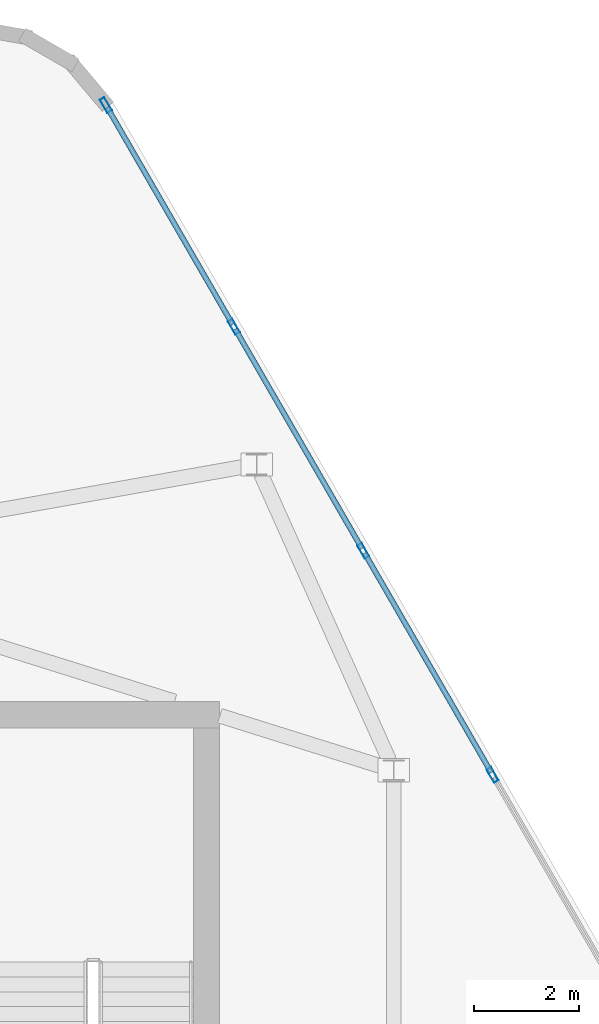
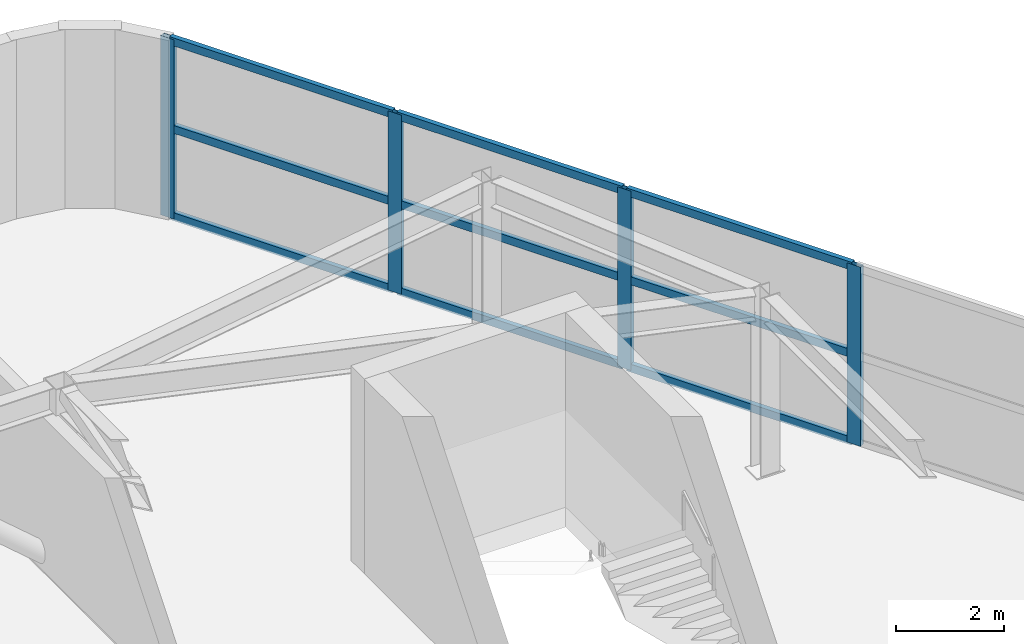
# One storey, part 12 of 17: 13 members, 1 element without a shape of its own.
"""IFC4 building model written with IfcOpenShell, lengths in metres."""

import ifcopenshell
import ifcopenshell.guid

model = None  # the IFC model being written
_history = None  # IfcOwnerHistory: only IFC2X3 demands one
_inside = {}  # id of a spatial element -> (the spatial element, [elements in it])
_under = {}  # id of a project, library or spatial element -> (it, [spatial elements below it])
_declared = {}  # id of a project -> (the project, [libraries it declares])
_typed = {}  # id of a type object -> (the type object, [elements of that type])
_made_of = {}  # id of a material, layer set ... -> (it, [elements and type objects made of it])


def new_model(schema):
    """Start an empty IFC model of exactly this schema.

    Asked for "IFC4X3", IfcOpenShell would pick the latest addendum, in which some entities
    have other attributes; the version numbers below select the first issue.
    IFC2X3 requires an IfcOwnerHistory on every rooted entity: one is made here for all.
    """
    global model, _history
    if schema == "IFC4X3":
        model = ifcopenshell.file(schema_version=(4, 3, 0, 0))
    else:
        model = ifcopenshell.file(schema=schema)
    _inside.clear()
    _under.clear()
    _declared.clear()
    _typed.clear()
    _made_of.clear()
    _history = None
    if model.schema == "IFC2X3":
        org = make("IfcOrganization", Name="unknown")
        user = make(
            "IfcPersonAndOrganization",
            ThePerson=make("IfcPerson", FamilyName="unknown"),
            TheOrganization=org,
        )
        app = make(
            "IfcApplication",
            ApplicationDeveloper=org,
            Version="unknown",
            ApplicationFullName="unknown",
            ApplicationIdentifier="unknown",
        )
        _history = make(
            "IfcOwnerHistory",
            OwningUser=user,
            OwningApplication=app,
            ChangeAction="ADDED",
            CreationDate=0,
        )
    return model


def make(cls, **values):
    """One entity of the class cls with the attributes given. An attribute that is None is left unset."""
    return model.create_entity(
        cls, **{name: value for name, value in values.items() if value is not None}
    )


def rooted(cls, **values):
    """An entity with a GlobalId (a new one), such as an element, a storey or a relation."""
    return make(cls, GlobalId=ifcopenshell.guid.new(), OwnerHistory=_history, **values)


def si_unit(unit_type, name, prefix=None):
    """IfcSIUnit, for example si_unit("LENGTHUNIT", "METRE", prefix="MILLI")."""
    return make("IfcSIUnit", UnitType=unit_type, Prefix=prefix, Name=name)


def assignment(units):
    """IfcUnitAssignment: the units of a project."""
    return None if units is None else make("IfcUnitAssignment", Units=units)


def point(xyz):
    """IfcCartesianPoint."""
    return None if xyz is None else make("IfcCartesianPoint", Coordinates=xyz)


def direction(xyz):
    """IfcDirection."""
    return None if xyz is None else make("IfcDirection", DirectionRatios=xyz)


def frame(location, z_axis=None, x_axis=None):
    """IfcAxis2Placement3D, a coordinate frame: its origin and axes. An axis left out is left unset."""
    return make(
        "IfcAxis2Placement3D",
        Location=point(location),
        Axis=direction(z_axis),
        RefDirection=direction(x_axis),
    )


def frame_2d(location, x_axis=None):
    """IfcAxis2Placement2D, a coordinate frame in the plane: its origin and x axis."""
    return make(
        "IfcAxis2Placement2D", Location=point(location), RefDirection=direction(x_axis)
    )


def origin():
    """The frame at (0, 0, 0) with its axes left unset."""
    return frame((0.0, 0.0, 0.0))


def origin_2d():
    """The frame at (0, 0) in the plane with its x axis left unset."""
    return frame_2d((0.0, 0.0))


def place(relative_to, where):
    """IfcLocalPlacement: puts the frame where relative to a parent placement (None: the world)."""
    return make(
        "IfcLocalPlacement", PlacementRelTo=relative_to, RelativePlacement=where
    )


def context(
    kind, dimensions, precision=None, world=None, true_north=None, identifier=None
):
    """IfcGeometricRepresentationContext, for example the 3D "Model" context."""
    return make(
        "IfcGeometricRepresentationContext",
        ContextIdentifier=identifier,
        ContextType=kind,
        CoordinateSpaceDimension=dimensions,
        Precision=precision,
        WorldCoordinateSystem=world,
        TrueNorth=true_north,
    )


def subcontext(parent, identifier, kind, view, scale=None):
    """IfcGeometricRepresentationSubContext, for example "Body" below "Model"."""
    return make(
        "IfcGeometricRepresentationSubContext",
        ContextIdentifier=identifier,
        ContextType=kind,
        ParentContext=parent,
        TargetScale=scale,
        TargetView=view,
    )


def project(units=None, contexts=None):
    """IfcProject with its units and contexts."""
    return rooted(
        "IfcProject",
        Name="project",
        RepresentationContexts=contexts,
        UnitsInContext=assignment(units),
    )


def spatial(cls, under=None, at=None, **own):
    """A site, building, storey or space (cls), placed at a placement, below another one or the project."""
    s = rooted(cls, ObjectPlacement=at, **own)
    if under is not None:
        _under.setdefault(under.id(), (under, []))[1].append(s)
    return s


def profile(cls, at=None, kind="AREA", **sizes):
    """A parametric profile (cls). Its sizes go by their IFC names, for example OverallWidth=200.0."""
    return make(cls, ProfileType=kind, Position=at, **sizes)


def hollow_rectangle(**sizes):
    """IfcRectangleHollowProfileDef."""
    return profile("IfcRectangleHollowProfileDef", **sizes)


def extrude(swept, where, along, depth):
    """IfcExtrudedAreaSolid: the profile swept, set in the frame where, extruded along a direction by depth."""
    return make(
        "IfcExtrudedAreaSolid",
        SweptArea=swept,
        Position=where,
        ExtrudedDirection=direction(along),
        Depth=depth,
    )


def shape(context_of_items, identifier, shape_type, items):
    """IfcShapeRepresentation: the items that make up one representation, for example the "Body"."""
    return make(
        "IfcShapeRepresentation",
        ContextOfItems=context_of_items,
        RepresentationIdentifier=identifier,
        RepresentationType=shape_type,
        Items=items,
    )


def material(Name=None, Category=None):
    """IfcMaterial."""
    return make("IfcMaterial", Name=Name, Category=Category)


def material_profile(
    of_material, cross_section, Name=None, Category=None, Priority=None
):
    """IfcMaterialProfile: a cross section and its material."""
    return make(
        "IfcMaterialProfile",
        Name=Name,
        Material=of_material,
        Profile=cross_section,
        Priority=Priority,
        Category=Category,
    )


def profile_set(profiles, Name=None, composite=None):
    """IfcMaterialProfileSet."""
    return make(
        "IfcMaterialProfileSet",
        Name=Name,
        MaterialProfiles=profiles,
        CompositeProfile=composite,
    )


def made_of(thing, what):
    """Note that an element or type object is made of a material, layer set ...; save() writes the relation."""
    if what is not None:
        _made_of.setdefault(what.id(), (what, []))[1].append(thing)
    return thing


def type_object(cls, material=None, **own):
    """A type object (cls), such as IfcWallType, which elements share."""
    return made_of(rooted(cls, **own), material)


def element(
    cls,
    number,
    at=None,
    inside=None,
    cuts=None,
    type_object=None,
    material=None,
    context=None,
    identifier="Body",
    shape_type=None,
    held_by="IfcProductDefinitionShape",
    body=None,
    shapes=None,
    **own,
):
    """One element of the class cls, such as IfcWall. Its Tag is "e" and its number.

    at: its placement. inside: the storey or other place that contains it. cuts: it is an
    opening in that element (IfcRelVoidsElement). A single representation is given by context,
    identifier, shape_type and body (its items); several are given by shapes. held_by: the class
    of the entity that holds the representations. save() writes the other relations.
    """
    e = rooted(cls, Tag="e%d" % number, ObjectPlacement=at, **own)
    if body is not None:
        shapes = [shape(context, identifier, shape_type, body)]
    if shapes is not None:
        e.Representation = make(held_by, Representations=shapes)
    if inside is not None:
        _inside.setdefault(inside.id(), (inside, []))[1].append(e)
    if cuts is not None:
        rooted(
            "IfcRelVoidsElement", RelatingBuildingElement=cuts, RelatedOpeningElement=e
        )
    if type_object is not None:
        _typed.setdefault(type_object.id(), (type_object, []))[1].append(e)
    return made_of(e, material)


def aggregate(whole, parts):
    """IfcRelAggregates: a whole, such as a stair, and the parts it consists of."""
    return rooted("IfcRelAggregates", RelatingObject=whole, RelatedObjects=parts)


def save(model, path):
    """Write the relations noted so far, then the file.

    IfcRelAggregates (storeys below a building ...), IfcRelContainedInSpatialStructure (elements
    in a storey), IfcRelDefinesByType, IfcRelAssociatesMaterial and IfcRelDeclares: one each for
    every whole, place, type object, material and project.
    """
    for whole, parts in _under.values():
        aggregate(whole, parts)
    for where, things in _inside.values():
        rooted(
            "IfcRelContainedInSpatialStructure",
            RelatedElements=things,
            RelatingStructure=where,
        )
    for kind, things in _typed.values():
        rooted("IfcRelDefinesByType", RelatedObjects=things, RelatingType=kind)
    for what, things in _made_of.values():
        rooted("IfcRelAssociatesMaterial", RelatedObjects=things, RelatingMaterial=what)
    for by, libraries in _declared.values():
        rooted("IfcRelDeclares", RelatingContext=by, RelatedDefinitions=libraries)
    model.write(path)


model = new_model("IFC4")

# Units and contexts
model_context = context("Model", 3, precision=1e-05, world=origin(), true_north=direction((0.0, 1.0)))
body_context = subcontext(model_context, "Body", "Model", "MODEL_VIEW")
ifc_project = project(units=[si_unit("LENGTHUNIT", "METRE"), si_unit("AREAUNIT", "SQUARE_METRE"), si_unit("VOLUMEUNIT", "CUBIC_METRE"), si_unit("PLANEANGLEUNIT", "RADIAN"), si_unit("MASSUNIT", "GRAM", prefix="KILO")], contexts=[model_context])

# Site, building, storey
site_placement = place(None, origin())
site = spatial("IfcSite", under=ifc_project, at=site_placement, CompositionType="ELEMENT")
building_placement = place(site_placement, origin())
building = spatial("IfcBuilding", under=site, at=building_placement, Name="Zuhravey Tower", CompositionType="ELEMENT")
storey_placement = place(building_placement, frame((0.0, 0.0, 361.39990234375)))
storey = spatial("IfcBuildingStorey", under=building, at=storey_placement, Name="L92", CompositionType="ELEMENT", Elevation=361.39990234375)

# Curtain wall, members
ifc_material_1 = material(Name="Thermally broken anodised aluminium", Category="aluminium")
curtain_wall_type = type_object("IfcCurtainWallType", Name="Split-Top Crown Screened Curtain Wall CW6", PredefinedType="NOTDEFINED", material=ifc_material_1)
curtain_wall_placement = place(storey_placement, origin())
curtain_wall = element("IfcCurtainWall", 1, at=curtain_wall_placement, inside=storey, type_object=curtain_wall_type, Name="L92 CW6 CW6-L92-EAST-04", PredefinedType="NOTDEFINED")
ifc_material_2 = material(Name="Anodised aluminium", Category="aluminium")
ifc_material_profile_1 = material_profile(ifc_material_2, hollow_rectangle(XDim=0.10009765625, YDim=0.2900390625, WallThickness=0.006103515625, at=origin_2d()), Name="ALU-RHS-100x290x6")
ifc_profile_set_1 = profile_set([ifc_material_profile_1], Name="Anodised aluminium")
member_type_1 = type_object("IfcMemberType", Name="Heavy Tall-Storey Mullion 100x220", PredefinedType="MULLION", material=ifc_profile_set_1)
member_1_placement = place(storey_placement, frame((50.741455078125, 54.615234375, 0.0), z_axis=(0.0, 0.0, 1.0), x_axis=(0.866027063754, 0.499997124838, 0.0)))
member_1 = element("IfcMember", 2, at=member_1_placement, type_object=member_type_1, Name="CW6 mullion 1", PredefinedType="MULLION", context=body_context, shape_type="SweptSolid", body=[
    extrude(hollow_rectangle(XDim=0.10009765625, YDim=0.2900390625, WallThickness=0.006103515625, at=origin_2d()), origin(), (0.0, 0.0, 1.0), 4.050048828125),
])
member_2_placement = place(storey_placement, frame((53.16943359375, 50.409912109375, 0.0), z_axis=(0.0, 0.0, 1.0), x_axis=(0.866027063754, 0.499997124838, 0.0)))
member_2 = element("IfcMember", 3, at=member_2_placement, type_object=member_type_1, Name="CW6 mullion 2", PredefinedType="MULLION", context=body_context, shape_type="SweptSolid", body=[
    extrude(hollow_rectangle(XDim=0.10009765625, YDim=0.2900390625, WallThickness=0.006103515625, at=origin_2d()), origin(), (0.0, 0.0, 1.0), 4.050048828125),
])
member_3_placement = place(storey_placement, frame((55.622314453125, 46.161376953125, 0.0), z_axis=(0.0, 0.0, 1.0), x_axis=(0.866027063754, 0.499997124838, 0.0)))
member_3 = element("IfcMember", 4, at=member_3_placement, type_object=member_type_1, Name="CW6 mullion 3", PredefinedType="MULLION", context=body_context, shape_type="SweptSolid", body=[
    extrude(hollow_rectangle(XDim=0.10009765625, YDim=0.2900390625, WallThickness=0.006103515625, at=origin_2d()), origin(), (0.0, 0.0, 1.0), 4.050048828125),
])
member_4_placement = place(storey_placement, frame((58.0751953125, 41.912841796875, 0.0), z_axis=(0.0, 0.0, 1.0), x_axis=(0.866027063754, 0.499997124838, 0.0)))
member_4 = element("IfcMember", 5, at=member_4_placement, type_object=member_type_1, Name="CW6 mullion 4", PredefinedType="MULLION", context=body_context, shape_type="SweptSolid", body=[
    extrude(hollow_rectangle(XDim=0.10009765625, YDim=0.2900390625, WallThickness=0.006103515625, at=origin_2d()), origin(), (0.0, 0.0, 1.0), 4.050048828125),
])
ifc_material_profile_2 = material_profile(ifc_material_2, hollow_rectangle(XDim=0.10009765625, YDim=0.179931640625, WallThickness=0.006103515625, at=origin_2d()), Name="ALU-RHS-100x180x6")
ifc_profile_set_2 = profile_set([ifc_material_profile_2], Name="Anodised aluminium")
member_type_2 = type_object("IfcMemberType", Name="Tall-Storey Transom 100x180", PredefinedType="USERDEFINED", material=ifc_profile_set_2)
member_5_placement = place(storey_placement, frame((50.7666015625, 54.57177734375, 0.050048828125), z_axis=(0.499965384433, -0.866045388169, 0.0), x_axis=(0.866045388169, 0.499965384433, 0.0)))
member_5 = element("IfcMember", 6, at=member_5_placement, type_object=member_type_2, Name="CW6 transom 1.1", ObjectType="TRANSOM", PredefinedType="USERDEFINED", context=body_context, shape_type="SweptSolid", body=[
    extrude(hollow_rectangle(XDim=0.10009765625, YDim=0.179931640625, WallThickness=0.006103515625, at=origin_2d()), origin(), (0.0, 0.0, 1.0), 4.755615234375),
])
member_6_placement = place(storey_placement, frame((50.7666015625, 54.57177734375, 2.025146484375), z_axis=(0.499965384433, -0.866045388169, 0.0), x_axis=(0.866045388169, 0.499965384433, 0.0)))
member_6 = element("IfcMember", 7, at=member_6_placement, type_object=member_type_2, Name="CW6 transom 1.2", ObjectType="TRANSOM", PredefinedType="USERDEFINED", context=body_context, shape_type="SweptSolid", body=[
    extrude(hollow_rectangle(XDim=0.10009765625, YDim=0.179931640625, WallThickness=0.006103515625, at=origin_2d()), origin(), (0.0, 0.0, 1.0), 4.755615234375),
])
member_7_placement = place(storey_placement, frame((50.7666015625, 54.57177734375, 4.0), z_axis=(0.499965384433, -0.866045388169, 0.0), x_axis=(0.866045388169, 0.499965384433, 0.0)))
member_7 = element("IfcMember", 8, at=member_7_placement, type_object=member_type_2, Name="CW6 transom 1.3", ObjectType="TRANSOM", PredefinedType="USERDEFINED", context=body_context, shape_type="SweptSolid", body=[
    extrude(hollow_rectangle(XDim=0.10009765625, YDim=0.179931640625, WallThickness=0.006103515625, at=origin_2d()), origin(), (0.0, 0.0, 1.0), 4.755615234375),
])
member_8_placement = place(storey_placement, frame((53.1943359375, 50.36669921875, 0.050048828125), z_axis=(0.500012672123, -0.866018087407, 0.0), x_axis=(0.866018087407, 0.500012672123, 0.0)))
member_8 = element("IfcMember", 9, at=member_8_placement, type_object=member_type_2, Name="CW6 transom 2.1", ObjectType="TRANSOM", PredefinedType="USERDEFINED", context=body_context, shape_type="SweptSolid", body=[
    extrude(hollow_rectangle(XDim=0.10009765625, YDim=0.179931640625, WallThickness=0.006103515625, at=origin_2d()), origin(), (0.0, 0.0, 1.0), 4.80615234375),
])
member_9_placement = place(storey_placement, frame((53.1943359375, 50.36669921875, 2.025146484375), z_axis=(0.500012672123, -0.866018087407, 0.0), x_axis=(0.866018087407, 0.500012672123, 0.0)))
member_9 = element("IfcMember", 10, at=member_9_placement, type_object=member_type_2, Name="CW6 transom 2.2", ObjectType="TRANSOM", PredefinedType="USERDEFINED", context=body_context, shape_type="SweptSolid", body=[
    extrude(hollow_rectangle(XDim=0.10009765625, YDim=0.179931640625, WallThickness=0.006103515625, at=origin_2d()), origin(), (0.0, 0.0, 1.0), 4.80615234375),
])
member_10_placement = place(storey_placement, frame((53.1943359375, 50.36669921875, 4.0), z_axis=(0.500012672123, -0.866018087407, 0.0), x_axis=(0.866018087407, 0.500012672123, 0.0)))
member_10 = element("IfcMember", 11, at=member_10_placement, type_object=member_type_2, Name="CW6 transom 2.3", ObjectType="TRANSOM", PredefinedType="USERDEFINED", context=body_context, shape_type="SweptSolid", body=[
    extrude(hollow_rectangle(XDim=0.10009765625, YDim=0.179931640625, WallThickness=0.006103515625, at=origin_2d()), origin(), (0.0, 0.0, 1.0), 4.80615234375),
])
member_11_placement = place(storey_placement, frame((55.647216796875, 46.117919921875, 0.050048828125), z_axis=(0.50003466983, -0.866005386223, 0.0), x_axis=(0.866005386223, 0.50003466983, 0.0)))
member_11 = element("IfcMember", 12, at=member_11_placement, type_object=member_type_2, Name="CW6 transom 3.1", ObjectType="TRANSOM", PredefinedType="USERDEFINED", context=body_context, shape_type="SweptSolid", body=[
    extrude(hollow_rectangle(XDim=0.10009765625, YDim=0.179931640625, WallThickness=0.006103515625, at=origin_2d()), origin(), (0.0, 0.0, 1.0), 4.805908203125),
])
member_12_placement = place(storey_placement, frame((55.647216796875, 46.117919921875, 2.025146484375), z_axis=(0.50003466983, -0.866005386223, 0.0), x_axis=(0.866005386223, 0.50003466983, 0.0)))
member_12 = element("IfcMember", 13, at=member_12_placement, type_object=member_type_2, Name="CW6 transom 3.2", ObjectType="TRANSOM", PredefinedType="USERDEFINED", context=body_context, shape_type="SweptSolid", body=[
    extrude(hollow_rectangle(XDim=0.10009765625, YDim=0.179931640625, WallThickness=0.006103515625, at=origin_2d()), origin(), (0.0, 0.0, 1.0), 4.805908203125),
])
member_13_placement = place(storey_placement, frame((55.647216796875, 46.117919921875, 4.0), z_axis=(0.50003466983, -0.866005386223, 0.0), x_axis=(0.866005386223, 0.50003466983, 0.0)))
member_13 = element("IfcMember", 14, at=member_13_placement, type_object=member_type_2, Name="CW6 transom 3.3", ObjectType="TRANSOM", PredefinedType="USERDEFINED", context=body_context, shape_type="SweptSolid", body=[
    extrude(hollow_rectangle(XDim=0.10009765625, YDim=0.179931640625, WallThickness=0.006103515625, at=origin_2d()), origin(), (0.0, 0.0, 1.0), 4.805908203125),
])
aggregate(curtain_wall, [member_1, member_2, member_3, member_4, member_5, member_6, member_7, member_8, member_9, member_10, member_11, member_12, member_13])

save(model, "model.ifc")
